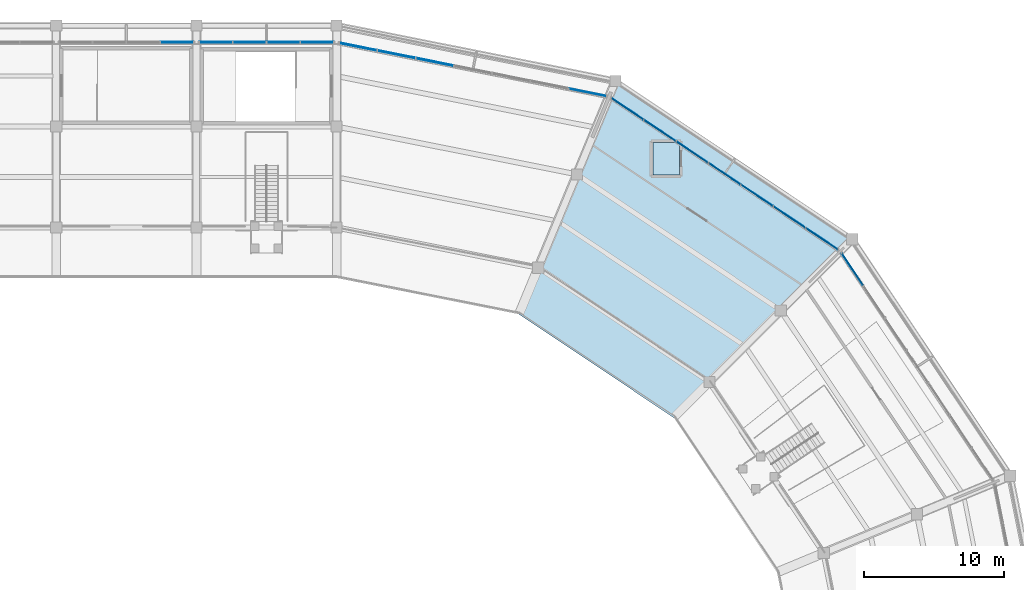
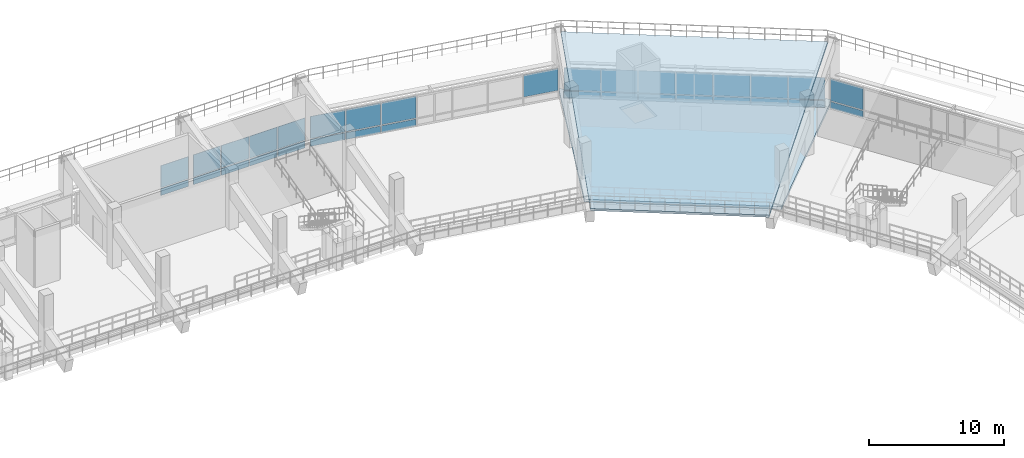
# One storey, part 58 of 96: 33 plates, 2 slabs, 5 elements without a shape of their own.
"""IFC4 building model written with IfcOpenShell, lengths in metres."""

from ifc_helpers import new_model, si_unit, direction, frame, origin, origin_2d, place, context, subcontext, project, spatial, polyline, rectangle, outline, extrude, material, layer, layer_set, type_object, element, aggregate, save


model = new_model("IFC4")

# Units and contexts
model_context = context("Model", 3, precision=1e-05, world=origin(), true_north=direction((0.0, 1.0)))
body_context = subcontext(model_context, "Body", "Model", "MODEL_VIEW")
ifc_project = project(units=[si_unit("LENGTHUNIT", "METRE"), si_unit("AREAUNIT", "SQUARE_METRE"), si_unit("VOLUMEUNIT", "CUBIC_METRE"), si_unit("PLANEANGLEUNIT", "RADIAN"), si_unit("MASSUNIT", "GRAM", prefix="KILO")], contexts=[model_context])

# Site, building, storey
site_placement = place(None, origin())
site = spatial("IfcSite", under=ifc_project, at=site_placement, CompositionType="ELEMENT")
building_placement = place(site_placement, origin())
building = spatial("IfcBuilding", under=site, at=building_placement, Name="Candeia Ridge Stadium", CompositionType="ELEMENT")
storey_placement = place(building_placement, frame((0.0, 0.0, 21.60009765625)))
storey = spatial("IfcBuildingStorey", under=building, at=storey_placement, Name="L04", CompositionType="ELEMENT", Elevation=21.60009765625)

# Slab
ifc_material_1 = material(Name="Concrete C40/50", Category="concrete")
ifc_layer_1 = layer(ifc_material_1, 0.260009765625, Name="Concrete C40/50", Category="concrete")
ifc_layer_set_1 = layer_set([ifc_layer_1], Name="Concrete C40/50")
slab_type_1 = type_object("IfcSlabType", Name="Concourse Structural Slab 260", PredefinedType="FLOOR", material=ifc_layer_set_1)
slab_1_placement = place(storey_placement, frame((0.0, 0.0, -0.260009765625)))
element("IfcSlab", 1, at=slab_1_placement, inside=storey, type_object=slab_type_1, Name="Bowl concourse sector slab L04 bay 35 SLB-L04-0179", PredefinedType="FLOOR", context=body_context, shape_type="SweptSolid", body=[
    extrude(outline(polyline([(155.388916015625, 129.73779296875), (160.8994140625, 143.041748046875), (177.76953125, 131.76953125), (167.587158203125, 121.587158203125), (155.388916015625, 129.73779296875)]), holes=[polyline([(165.449951171875, 136.35009765625), (165.449951171875, 138.64990234375), (163.550048828125, 138.64990234375), (163.550048828125, 136.35009765625), (165.449951171875, 136.35009765625)])]), origin(), (0.0, 0.0, 1.0), 0.260009765625),
])

# Curtain wall, plates
ifc_material_2 = material(Name="Aluminium Anodized Warm Bronze", Category="aluminium")
curtain_wall_type = type_object("IfcCurtainWallType", Name="Concourse Recessed Unitised Curtain Wall", PredefinedType="NOTDEFINED", material=ifc_material_2)
curtain_wall_1_placement = place(storey_placement, origin())
curtain_wall_1 = element("IfcCurtainWall", 2, at=curtain_wall_1_placement, inside=storey, type_object=curtain_wall_type, Name="Unitised curtain wall CW-BWL-L04-00", PredefinedType="NOTDEFINED")
ifc_material_3 = material(Name="Aluminium Insulated Spandrel", Category="aluminium")
ifc_layer_2 = layer(ifc_material_3, 0.06494140625, Name="Aluminium Insulated Spandrel", Category="aluminium")
ifc_layer_set_2 = layer_set([ifc_layer_2], Name="Aluminium Insulated Spandrel")
plate_type_1 = type_object("IfcPlateType", Name="Insulated Bronze Spandrel Panel SP1", PredefinedType="CURTAIN_PANEL", material=ifc_layer_set_2)
plate_1_placement = place(storey_placement, frame((139.614990234375, 145.800048828125, 0.0400390625), z_axis=(0.0, 0.0, 1.0), x_axis=(-1.0, 0.0, 0.0)))
plate_1 = element("IfcPlate", 3, at=plate_1_placement, type_object=plate_type_1, Name="Curtain wall spandrel panel CW-BWL-L04-00-SP0", PredefinedType="CURTAIN_PANEL", context=body_context, shape_type="SweptSolid", body=[
    extrude(rectangle(XDim=2.340087890625, YDim=0.06494140625, at=origin_2d()), origin(), (0.0, 0.0, 1.0), 0.613037109375),
])
plate_2_placement = place(storey_placement, frame((137.205078125, 145.800048828125, 0.0400390625), z_axis=(0.0, 0.0, 1.0), x_axis=(-1.0, 0.0, 0.0)))
plate_2 = element("IfcPlate", 4, at=plate_2_placement, type_object=plate_type_1, Name="Curtain wall spandrel panel CW-BWL-L04-00-SP1", PredefinedType="CURTAIN_PANEL", context=body_context, shape_type="SweptSolid", body=[
    extrude(rectangle(XDim=2.340087890625, YDim=0.06494140625, at=origin_2d()), origin(), (0.0, 0.0, 1.0), 0.613037109375),
])
plate_3_placement = place(storey_placement, frame((134.794921875, 145.800048828125, 0.0400390625), z_axis=(0.0, 0.0, 1.0), x_axis=(-1.0, 0.0, 0.0)))
plate_3 = element("IfcPlate", 5, at=plate_3_placement, type_object=plate_type_1, Name="Curtain wall spandrel panel CW-BWL-L04-00-SP2", PredefinedType="CURTAIN_PANEL", context=body_context, shape_type="SweptSolid", body=[
    extrude(rectangle(XDim=2.340087890625, YDim=0.06494140625, at=origin_2d()), origin(), (0.0, 0.0, 1.0), 0.613037109375),
])
plate_4_placement = place(storey_placement, frame((132.385009765625, 145.800048828125, 0.0400390625), z_axis=(0.0, 0.0, 1.0), x_axis=(-1.0, 0.0, 0.0)))
plate_4 = element("IfcPlate", 6, at=plate_4_placement, type_object=plate_type_1, Name="Curtain wall spandrel panel CW-BWL-L04-00-SP3", PredefinedType="CURTAIN_PANEL", context=body_context, shape_type="SweptSolid", body=[
    extrude(rectangle(XDim=2.340087890625, YDim=0.06494140625, at=origin_2d()), origin(), (0.0, 0.0, 1.0), 0.613037109375),
])

# Curtain wall, plate
curtain_wall_2_placement = place(storey_placement, origin())
curtain_wall_2 = element("IfcCurtainWall", 7, at=curtain_wall_2_placement, inside=storey, type_object=curtain_wall_type, Name="Unitised curtain wall CW-BWL-L04-01", PredefinedType="NOTDEFINED")
ifc_layer_3 = layer(ifc_material_3, 0.06494140625, Name="Aluminium Insulated Spandrel", Category="aluminium")
ifc_layer_set_3 = layer_set([ifc_layer_3], Name="Aluminium Insulated Spandrel")
plate_type_2 = type_object("IfcPlateType", Name="Insulated Bronze Spandrel Panel SP2", PredefinedType="CURTAIN_PANEL", material=ifc_layer_set_3)
plate_5_placement = place(storey_placement, frame((129.614990234375, 145.800048828125, 0.0400390625), z_axis=(0.0, 0.0, 1.0), x_axis=(-1.0, 0.0, 0.0)))
plate_5 = element("IfcPlate", 8, at=plate_5_placement, type_object=plate_type_2, Name="Curtain wall spandrel panel CW-BWL-L04-01-SP0", PredefinedType="CURTAIN_PANEL", context=body_context, shape_type="SweptSolid", body=[
    extrude(rectangle(XDim=2.340087890625, YDim=0.06494140625, at=origin_2d()), origin(), (0.0, 0.0, 1.0), 0.613037109375),
])

curtain_wall_3_placement = place(storey_placement, origin())
curtain_wall_3 = element("IfcCurtainWall", 9, at=curtain_wall_3_placement, inside=storey, type_object=curtain_wall_type, Name="Unitised curtain wall CW-BWL-L04-33", PredefinedType="NOTDEFINED")
plate_6_placement = place(storey_placement, frame((177.793212890625, 129.615478515625, 0.0400390625), z_axis=(0.0, 0.0, 1.0), x_axis=(-0.555571447533, 0.831468800789, 0.0)))
plate_6 = element("IfcPlate", 10, at=plate_6_placement, type_object=plate_type_2, Name="Curtain wall spandrel panel CW-BWL-L04-33-SP6", PredefinedType="CURTAIN_PANEL", context=body_context, shape_type="SweptSolid", body=[
    extrude(rectangle(XDim=2.710205078125, YDim=0.06494140625, at=origin_2d()), origin(), (0.0, 0.0, 1.0), 0.613037109375),
])

# Curtain wall, plates
curtain_wall_4_placement = place(storey_placement, origin())
curtain_wall_4 = element("IfcCurtainWall", 11, at=curtain_wall_4_placement, inside=storey, type_object=curtain_wall_type, Name="Unitised curtain wall CW-BWL-L04-34", PredefinedType="NOTDEFINED")
ifc_layer_4 = layer(ifc_material_3, 0.06494140625, Name="Aluminium Insulated Spandrel", Category="aluminium")
ifc_layer_set_4 = layer_set([ifc_layer_4], Name="Aluminium Insulated Spandrel")
plate_type_3 = type_object("IfcPlateType", Name="Insulated Bronze Spandrel Panel SP4", PredefinedType="CURTAIN_PANEL", material=ifc_layer_set_4)
plate_7_placement = place(storey_placement, frame((175.615478515625, 131.793212890625, 0.0400390625), z_axis=(0.0, 0.0, 1.0), x_axis=(-0.831468800789, 0.555571447533, 0.0)))
plate_7 = element("IfcPlate", 12, at=plate_7_placement, type_object=plate_type_3, Name="Curtain wall spandrel panel CW-BWL-L04-34-SP0", PredefinedType="CURTAIN_PANEL", context=body_context, shape_type="SweptSolid", body=[
    extrude(rectangle(XDim=2.710205078125, YDim=0.06494140625, at=origin_2d()), origin(), (0.0, 0.0, 1.0), 0.613037109375),
])
plate_8_placement = place(storey_placement, frame((173.303955078125, 133.337890625, 0.0400390625), z_axis=(0.0, 0.0, 1.0), x_axis=(-0.831468800789, 0.555571447533, 0.0)))
plate_8 = element("IfcPlate", 13, at=plate_8_placement, type_object=plate_type_3, Name="Curtain wall spandrel panel CW-BWL-L04-34-SP1", PredefinedType="CURTAIN_PANEL", context=body_context, shape_type="SweptSolid", body=[
    extrude(rectangle(XDim=2.710205078125, YDim=0.06494140625, at=origin_2d()), origin(), (0.0, 0.0, 1.0), 0.613037109375),
])
plate_9_placement = place(storey_placement, frame((170.9921875, 134.882568359375, 0.0400390625), z_axis=(0.0, 0.0, 1.0), x_axis=(-0.831468800789, 0.555571447533, 0.0)))
plate_9 = element("IfcPlate", 14, at=plate_9_placement, type_object=plate_type_3, Name="Curtain wall spandrel panel CW-BWL-L04-34-SP2", PredefinedType="CURTAIN_PANEL", context=body_context, shape_type="SweptSolid", body=[
    extrude(rectangle(XDim=2.710205078125, YDim=0.06494140625, at=origin_2d()), origin(), (0.0, 0.0, 1.0), 0.613037109375),
])
plate_10_placement = place(storey_placement, frame((168.6806640625, 136.427001953125, 0.0400390625), z_axis=(0.0, 0.0, 1.0), x_axis=(-0.831468800789, 0.555571447533, 0.0)))
plate_10 = element("IfcPlate", 15, at=plate_10_placement, type_object=plate_type_3, Name="Curtain wall spandrel panel CW-BWL-L04-34-SP3", PredefinedType="CURTAIN_PANEL", context=body_context, shape_type="SweptSolid", body=[
    extrude(rectangle(XDim=2.710205078125, YDim=0.06494140625, at=origin_2d()), origin(), (0.0, 0.0, 1.0), 0.613037109375),
])
plate_11_placement = place(storey_placement, frame((166.369140625, 137.9716796875, 0.0400390625), z_axis=(0.0, 0.0, 1.0), x_axis=(-0.831468800789, 0.555571447533, 0.0)))
plate_11 = element("IfcPlate", 16, at=plate_11_placement, type_object=plate_type_3, Name="Curtain wall spandrel panel CW-BWL-L04-34-SP4", PredefinedType="CURTAIN_PANEL", context=body_context, shape_type="SweptSolid", body=[
    extrude(rectangle(XDim=2.710205078125, YDim=0.06494140625, at=origin_2d()), origin(), (0.0, 0.0, 1.0), 0.613037109375),
])
plate_12_placement = place(storey_placement, frame((164.057373046875, 139.51611328125, 0.0400390625), z_axis=(0.0, 0.0, 1.0), x_axis=(-0.831468800789, 0.555571447533, 0.0)))
plate_12 = element("IfcPlate", 17, at=plate_12_placement, type_object=plate_type_3, Name="Curtain wall spandrel panel CW-BWL-L04-34-SP5", PredefinedType="CURTAIN_PANEL", context=body_context, shape_type="SweptSolid", body=[
    extrude(rectangle(XDim=2.710205078125, YDim=0.06494140625, at=origin_2d()), origin(), (0.0, 0.0, 1.0), 0.613037109375),
])
plate_13_placement = place(storey_placement, frame((161.745849609375, 141.060791015625, 0.0400390625), z_axis=(0.0, 0.0, 1.0), x_axis=(-0.831468800789, 0.555571447533, 0.0)))
plate_13 = element("IfcPlate", 18, at=plate_13_placement, type_object=plate_type_3, Name="Curtain wall spandrel panel CW-BWL-L04-34-SP6", PredefinedType="CURTAIN_PANEL", context=body_context, shape_type="SweptSolid", body=[
    extrude(rectangle(XDim=2.710205078125, YDim=0.06494140625, at=origin_2d()), origin(), (0.0, 0.0, 1.0), 0.613037109375),
])

curtain_wall_5_placement = place(storey_placement, origin())
curtain_wall_5 = element("IfcCurtainWall", 19, at=curtain_wall_5_placement, inside=storey, type_object=curtain_wall_type, Name="Unitised curtain wall CW-BWL-L04-35", PredefinedType="NOTDEFINED")
ifc_layer_5 = layer(ifc_material_3, 0.06494140625, Name="Aluminium Insulated Spandrel", Category="aluminium")
ifc_layer_set_5 = layer_set([ifc_layer_5], Name="Aluminium Insulated Spandrel")
plate_type_4 = type_object("IfcPlateType", Name="Insulated Bronze Spandrel Panel SP5", PredefinedType="CURTAIN_PANEL", material=ifc_layer_set_5)
plate_14_placement = place(storey_placement, frame((147.993408203125, 144.408935546875, 0.0400390625), z_axis=(0.0, 0.0, 1.0), x_axis=(-0.980785280696, 0.195090320544, 0.0)))
plate_14 = element("IfcPlate", 20, at=plate_14_placement, type_object=plate_type_4, Name="Curtain wall spandrel panel CW-BWL-L04-35-SP4", PredefinedType="CURTAIN_PANEL", context=body_context, shape_type="SweptSolid", body=[
    extrude(rectangle(XDim=2.710205078125, YDim=0.06494140625, at=origin_2d()), origin(), (0.0, 0.0, 1.0), 0.613037109375),
])
plate_15_placement = place(storey_placement, frame((145.2666015625, 144.951416015625, 0.0400390625), z_axis=(0.0, 0.0, 1.0), x_axis=(-0.980785280696, 0.195090320544, 0.0)))
plate_15 = element("IfcPlate", 21, at=plate_15_placement, type_object=plate_type_4, Name="Curtain wall spandrel panel CW-BWL-L04-35-SP5", PredefinedType="CURTAIN_PANEL", context=body_context, shape_type="SweptSolid", body=[
    extrude(rectangle(XDim=2.710205078125, YDim=0.06494140625, at=origin_2d()), origin(), (0.0, 0.0, 1.0), 0.613037109375),
])
plate_16_placement = place(storey_placement, frame((142.539794921875, 145.49365234375, 0.0400390625), z_axis=(0.0, 0.0, 1.0), x_axis=(-0.980785280696, 0.195090320544, 0.0)))
plate_16 = element("IfcPlate", 22, at=plate_16_placement, type_object=plate_type_4, Name="Curtain wall spandrel panel CW-BWL-L04-35-SP6", PredefinedType="CURTAIN_PANEL", context=body_context, shape_type="SweptSolid", body=[
    extrude(rectangle(XDim=2.710205078125, YDim=0.06494140625, at=origin_2d()), origin(), (0.0, 0.0, 1.0), 0.613037109375),
])

# Plate
ifc_material_4 = material(Name="Tempered Low-E Double Glazing", Category="glass")
ifc_layer_6 = layer(ifc_material_4, 0.035888671875, Name="Tempered Low-E Double Glazing", Category="glass")
ifc_layer_set_6 = layer_set([ifc_layer_6], Name="Tempered Low-E Double Glazing")
plate_type_5 = type_object("IfcPlateType", Name="Solar Control Vision Glass Panel GP2", PredefinedType="CURTAIN_PANEL", material=ifc_layer_set_6)
plate_17_placement = place(storey_placement, frame((177.793212890625, 129.615478515625, 0.733154296875), z_axis=(0.0, 0.0, 1.0), x_axis=(-0.555571447533, 0.831468800789, 0.0)))
plate_17 = element("IfcPlate", 23, at=plate_17_placement, type_object=plate_type_5, Name="Curtain wall vision glass panel CW-BWL-L04-33-GP6", PredefinedType="CURTAIN_PANEL", context=body_context, shape_type="SweptSolid", body=[
    extrude(rectangle(XDim=2.710205078125, YDim=0.035888671875, at=origin_2d()), origin(), (0.0, 0.0, 1.0), 1.9990234375),
])

aggregate(curtain_wall_3, [plate_6, plate_17])

ifc_layer_7 = layer(ifc_material_4, 0.035888671875, Name="Tempered Low-E Double Glazing", Category="glass")
ifc_layer_set_7 = layer_set([ifc_layer_7], Name="Tempered Low-E Double Glazing")
plate_type_6 = type_object("IfcPlateType", Name="Solar Control Vision Glass Panel GP5", PredefinedType="CURTAIN_PANEL", material=ifc_layer_set_7)
plate_18_placement = place(storey_placement, frame((175.615478515625, 131.793212890625, 0.733154296875), z_axis=(0.0, 0.0, 1.0), x_axis=(-0.831468800789, 0.555571447533, 0.0)))
plate_18 = element("IfcPlate", 24, at=plate_18_placement, type_object=plate_type_6, Name="Curtain wall vision glass panel CW-BWL-L04-34-GP0", PredefinedType="CURTAIN_PANEL", context=body_context, shape_type="SweptSolid", body=[
    extrude(rectangle(XDim=2.710205078125, YDim=0.035888671875, at=origin_2d()), origin(), (0.0, 0.0, 1.0), 1.9990234375),
])

plate_19_placement = place(storey_placement, frame((173.303955078125, 133.337890625, 0.733154296875), z_axis=(0.0, 0.0, 1.0), x_axis=(-0.831468800789, 0.555571447533, 0.0)))
plate_19 = element("IfcPlate", 25, at=plate_19_placement, type_object=plate_type_6, Name="Curtain wall vision glass panel CW-BWL-L04-34-GP1", PredefinedType="CURTAIN_PANEL", context=body_context, shape_type="SweptSolid", body=[
    extrude(rectangle(XDim=2.710205078125, YDim=0.035888671875, at=origin_2d()), origin(), (0.0, 0.0, 1.0), 1.9990234375),
])

plate_20_placement = place(storey_placement, frame((170.9921875, 134.882568359375, 0.733154296875), z_axis=(0.0, 0.0, 1.0), x_axis=(-0.831468800789, 0.555571447533, 0.0)))
plate_20 = element("IfcPlate", 26, at=plate_20_placement, type_object=plate_type_6, Name="Curtain wall vision glass panel CW-BWL-L04-34-GP2", PredefinedType="CURTAIN_PANEL", context=body_context, shape_type="SweptSolid", body=[
    extrude(rectangle(XDim=2.710205078125, YDim=0.035888671875, at=origin_2d()), origin(), (0.0, 0.0, 1.0), 1.9990234375),
])

plate_21_placement = place(storey_placement, frame((168.6806640625, 136.427001953125, 0.733154296875), z_axis=(0.0, 0.0, 1.0), x_axis=(-0.831468800789, 0.555571447533, 0.0)))
plate_21 = element("IfcPlate", 27, at=plate_21_placement, type_object=plate_type_6, Name="Curtain wall vision glass panel CW-BWL-L04-34-GP3", PredefinedType="CURTAIN_PANEL", context=body_context, shape_type="SweptSolid", body=[
    extrude(rectangle(XDim=2.710205078125, YDim=0.035888671875, at=origin_2d()), origin(), (0.0, 0.0, 1.0), 1.9990234375),
])

plate_22_placement = place(storey_placement, frame((166.369140625, 137.9716796875, 0.733154296875), z_axis=(0.0, 0.0, 1.0), x_axis=(-0.831468800789, 0.555571447533, 0.0)))
plate_22 = element("IfcPlate", 28, at=plate_22_placement, type_object=plate_type_6, Name="Curtain wall vision glass panel CW-BWL-L04-34-GP4", PredefinedType="CURTAIN_PANEL", context=body_context, shape_type="SweptSolid", body=[
    extrude(rectangle(XDim=2.710205078125, YDim=0.035888671875, at=origin_2d()), origin(), (0.0, 0.0, 1.0), 1.9990234375),
])

plate_23_placement = place(storey_placement, frame((164.057373046875, 139.51611328125, 0.733154296875), z_axis=(0.0, 0.0, 1.0), x_axis=(-0.831468800789, 0.555571447533, 0.0)))
plate_23 = element("IfcPlate", 29, at=plate_23_placement, type_object=plate_type_6, Name="Curtain wall vision glass panel CW-BWL-L04-34-GP5", PredefinedType="CURTAIN_PANEL", context=body_context, shape_type="SweptSolid", body=[
    extrude(rectangle(XDim=2.710205078125, YDim=0.035888671875, at=origin_2d()), origin(), (0.0, 0.0, 1.0), 1.9990234375),
])

plate_24_placement = place(storey_placement, frame((161.745849609375, 141.060791015625, 0.733154296875), z_axis=(0.0, 0.0, 1.0), x_axis=(-0.831468800789, 0.555571447533, 0.0)))
plate_24 = element("IfcPlate", 30, at=plate_24_placement, type_object=plate_type_6, Name="Curtain wall vision glass panel CW-BWL-L04-34-GP6", PredefinedType="CURTAIN_PANEL", context=body_context, shape_type="SweptSolid", body=[
    extrude(rectangle(XDim=2.710205078125, YDim=0.035888671875, at=origin_2d()), origin(), (0.0, 0.0, 1.0), 1.9990234375),
])

aggregate(curtain_wall_4, [plate_7, plate_18, plate_8, plate_19, plate_9, plate_20, plate_10, plate_21, plate_11, plate_22, plate_12, plate_23, plate_13, plate_24])

ifc_layer_8 = layer(ifc_material_4, 0.035888671875, Name="Tempered Low-E Double Glazing", Category="glass")
ifc_layer_set_8 = layer_set([ifc_layer_8], Name="Tempered Low-E Double Glazing")
plate_type_7 = type_object("IfcPlateType", Name="Solar Control Vision Glass Panel GP6", PredefinedType="CURTAIN_PANEL", material=ifc_layer_set_8)
plate_25_placement = place(storey_placement, frame((158.900390625, 142.239501953125, 0.733154296875), z_axis=(0.0, 0.0, 1.0), x_axis=(-0.980785280696, 0.195090320544, 0.0)))
plate_25 = element("IfcPlate", 31, at=plate_25_placement, type_object=plate_type_7, Name="Curtain wall vision glass panel CW-BWL-L04-35-GP0", PredefinedType="CURTAIN_PANEL", context=body_context, shape_type="SweptSolid", body=[
    extrude(rectangle(XDim=2.710205078125, YDim=0.035888671875, at=origin_2d()), origin(), (0.0, 0.0, 1.0), 1.9990234375),
])

plate_26_placement = place(storey_placement, frame((147.993408203125, 144.408935546875, 0.733154296875), z_axis=(0.0, 0.0, 1.0), x_axis=(-0.980785280696, 0.195090320544, 0.0)))
plate_26 = element("IfcPlate", 32, at=plate_26_placement, type_object=plate_type_7, Name="Curtain wall vision glass panel CW-BWL-L04-35-GP4", PredefinedType="CURTAIN_PANEL", context=body_context, shape_type="SweptSolid", body=[
    extrude(rectangle(XDim=2.710205078125, YDim=0.035888671875, at=origin_2d()), origin(), (0.0, 0.0, 1.0), 1.9990234375),
])

plate_27_placement = place(storey_placement, frame((145.2666015625, 144.951416015625, 0.733154296875), z_axis=(0.0, 0.0, 1.0), x_axis=(-0.980785280696, 0.195090320544, 0.0)))
plate_27 = element("IfcPlate", 33, at=plate_27_placement, type_object=plate_type_7, Name="Curtain wall vision glass panel CW-BWL-L04-35-GP5", PredefinedType="CURTAIN_PANEL", context=body_context, shape_type="SweptSolid", body=[
    extrude(rectangle(XDim=2.710205078125, YDim=0.035888671875, at=origin_2d()), origin(), (0.0, 0.0, 1.0), 1.9990234375),
])

plate_28_placement = place(storey_placement, frame((142.539794921875, 145.49365234375, 0.733154296875), z_axis=(0.0, 0.0, 1.0), x_axis=(-0.980785280696, 0.195090320544, 0.0)))
plate_28 = element("IfcPlate", 34, at=plate_28_placement, type_object=plate_type_7, Name="Curtain wall vision glass panel CW-BWL-L04-35-GP6", PredefinedType="CURTAIN_PANEL", context=body_context, shape_type="SweptSolid", body=[
    extrude(rectangle(XDim=2.710205078125, YDim=0.035888671875, at=origin_2d()), origin(), (0.0, 0.0, 1.0), 1.9990234375),
])

aggregate(curtain_wall_5, [plate_25, plate_14, plate_26, plate_15, plate_27, plate_16, plate_28])

ifc_layer_9 = layer(ifc_material_4, 0.035888671875, Name="Tempered Low-E Double Glazing", Category="glass")
ifc_layer_set_9 = layer_set([ifc_layer_9], Name="Tempered Low-E Double Glazing")
plate_type_8 = type_object("IfcPlateType", Name="Solar Control Vision Glass Panel GP7", PredefinedType="CURTAIN_PANEL", material=ifc_layer_set_9)
plate_29_placement = place(storey_placement, frame((139.614990234375, 145.800048828125, 0.733154296875), z_axis=(0.0, 0.0, 1.0), x_axis=(-1.0, 0.0, 0.0)))
plate_29 = element("IfcPlate", 35, at=plate_29_placement, type_object=plate_type_8, Name="Curtain wall vision glass panel CW-BWL-L04-00-GP0", PredefinedType="CURTAIN_PANEL", context=body_context, shape_type="SweptSolid", body=[
    extrude(rectangle(XDim=2.340087890625, YDim=0.035888671875, at=origin_2d()), origin(), (0.0, 0.0, 1.0), 1.9990234375),
])

plate_30_placement = place(storey_placement, frame((137.205078125, 145.800048828125, 0.733154296875), z_axis=(0.0, 0.0, 1.0), x_axis=(-1.0, 0.0, 0.0)))
plate_30 = element("IfcPlate", 36, at=plate_30_placement, type_object=plate_type_8, Name="Curtain wall vision glass panel CW-BWL-L04-00-GP1", PredefinedType="CURTAIN_PANEL", context=body_context, shape_type="SweptSolid", body=[
    extrude(rectangle(XDim=2.340087890625, YDim=0.035888671875, at=origin_2d()), origin(), (0.0, 0.0, 1.0), 1.9990234375),
])

plate_31_placement = place(storey_placement, frame((134.794921875, 145.800048828125, 0.733154296875), z_axis=(0.0, 0.0, 1.0), x_axis=(-1.0, 0.0, 0.0)))
plate_31 = element("IfcPlate", 37, at=plate_31_placement, type_object=plate_type_8, Name="Curtain wall vision glass panel CW-BWL-L04-00-GP2", PredefinedType="CURTAIN_PANEL", context=body_context, shape_type="SweptSolid", body=[
    extrude(rectangle(XDim=2.340087890625, YDim=0.035888671875, at=origin_2d()), origin(), (0.0, 0.0, 1.0), 1.9990234375),
])

plate_32_placement = place(storey_placement, frame((132.385009765625, 145.800048828125, 0.733154296875), z_axis=(0.0, 0.0, 1.0), x_axis=(-1.0, 0.0, 0.0)))
plate_32 = element("IfcPlate", 38, at=plate_32_placement, type_object=plate_type_8, Name="Curtain wall vision glass panel CW-BWL-L04-00-GP3", PredefinedType="CURTAIN_PANEL", context=body_context, shape_type="SweptSolid", body=[
    extrude(rectangle(XDim=2.340087890625, YDim=0.035888671875, at=origin_2d()), origin(), (0.0, 0.0, 1.0), 1.9990234375),
])

aggregate(curtain_wall_1, [plate_1, plate_29, plate_2, plate_30, plate_3, plate_31, plate_4, plate_32])

ifc_layer_10 = layer(ifc_material_4, 0.035888671875, Name="Tempered Low-E Double Glazing", Category="glass")
ifc_layer_set_10 = layer_set([ifc_layer_10], Name="Tempered Low-E Double Glazing")
plate_type_9 = type_object("IfcPlateType", Name="Solar Control Vision Glass Panel GP8", PredefinedType="CURTAIN_PANEL", material=ifc_layer_set_10)
plate_33_placement = place(storey_placement, frame((129.614990234375, 145.800048828125, 0.733154296875), z_axis=(0.0, 0.0, 1.0), x_axis=(-1.0, 0.0, 0.0)))
plate_33 = element("IfcPlate", 39, at=plate_33_placement, type_object=plate_type_9, Name="Curtain wall vision glass panel CW-BWL-L04-01-GP0", PredefinedType="CURTAIN_PANEL", context=body_context, shape_type="SweptSolid", body=[
    extrude(rectangle(XDim=2.340087890625, YDim=0.035888671875, at=origin_2d()), origin(), (0.0, 0.0, 1.0), 1.9990234375),
])

aggregate(curtain_wall_2, [plate_5, plate_33])

# Slab
ifc_material_5 = material(Name="Precast concrete C45/55", Category="concrete")
ifc_layer_11 = layer(ifc_material_5, 0.239990234375, Name="Precast concrete C45/55", Category="concrete")
ifc_layer_set_11 = layer_set([ifc_layer_11], Name="Precast concrete C45/55")
slab_type_2 = type_object("IfcSlabType", Name="Upper Cantilever Tier Precast 240", PredefinedType="USERDEFINED", material=ifc_layer_set_11)
slab_2_placement = place(storey_placement, frame((165.0419921875, 119.0419921875, 1.64990234375), z_axis=(-0.14181603517, -0.212249411471, 0.96687041505), x_axis=(-0.831488541438, 0.555541902497, -5.136556e-06)))
element("IfcSlab", 40, at=slab_2_placement, inside=storey, type_object=slab_type_2, Name="Stand Upper Tier Stands Bay 35", ObjectType="SEATING TIER", PredefinedType="USERDEFINED", context=body_context, shape_type="SweptSolid", body=[
    extrude(outline(polyline([(0.0, 0.0), (13.266563896581555, 8.881784197001252e-16), (16.543502769757378, -17.041649109583425), (-3.277966598499786, -17.04098330454092), (0.0, 0.0)])), origin(), (0.0, 0.0, -1.0), 0.239990234375),
])

save(model, "model.ifc")
